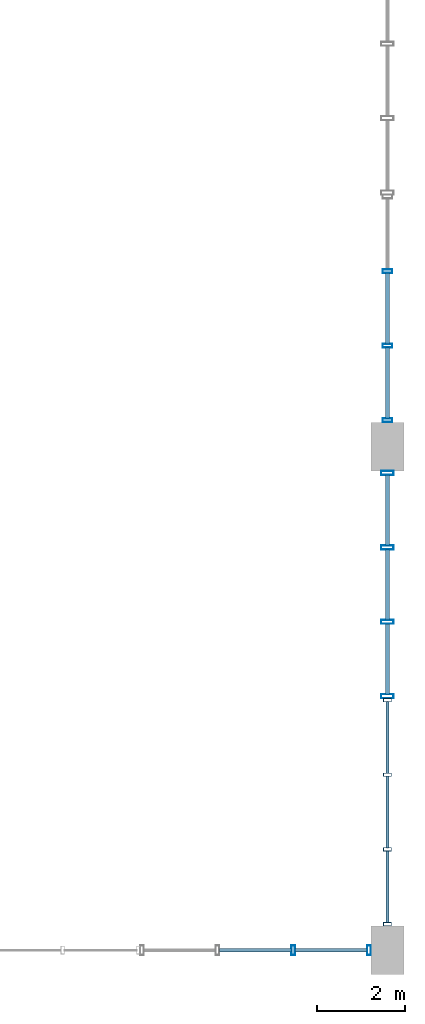
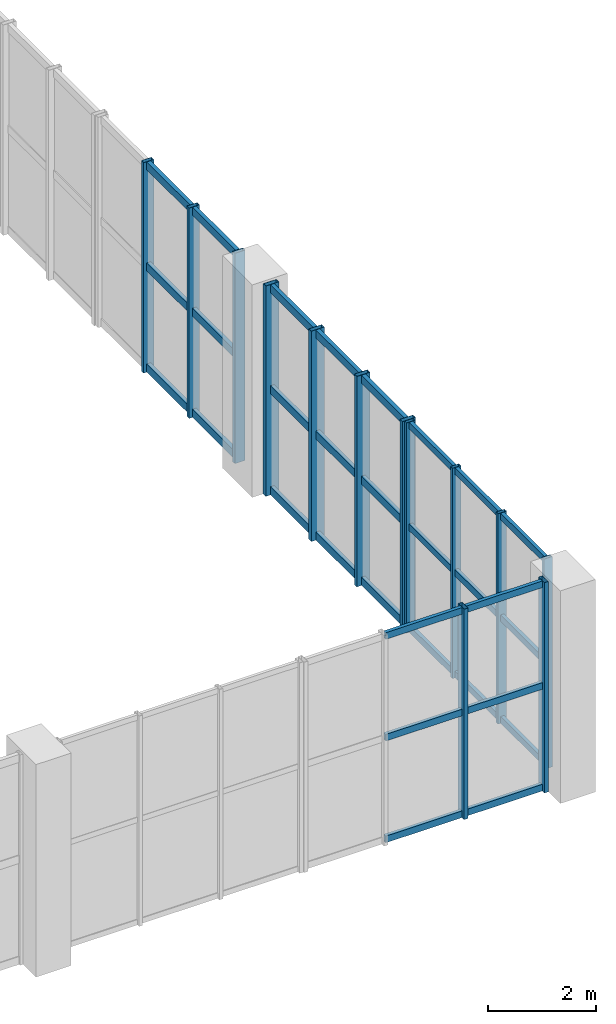
# One storey, part 53 of 106: 43 members, 4 elements without a shape of their own.
"""IFC4 building model written with IfcOpenShell, lengths in metres."""

import ifcopenshell
import ifcopenshell.guid

model = None  # the IFC model being written
_history = None  # IfcOwnerHistory: only IFC2X3 demands one
_inside = {}  # id of a spatial element -> (the spatial element, [elements in it])
_under = {}  # id of a project, library or spatial element -> (it, [spatial elements below it])
_declared = {}  # id of a project -> (the project, [libraries it declares])
_typed = {}  # id of a type object -> (the type object, [elements of that type])
_made_of = {}  # id of a material, layer set ... -> (it, [elements and type objects made of it])


def new_model(schema):
    """Start an empty IFC model of exactly this schema.

    Asked for "IFC4X3", IfcOpenShell would pick the latest addendum, in which some entities
    have other attributes; the version numbers below select the first issue.
    IFC2X3 requires an IfcOwnerHistory on every rooted entity: one is made here for all.
    """
    global model, _history
    if schema == "IFC4X3":
        model = ifcopenshell.file(schema_version=(4, 3, 0, 0))
    else:
        model = ifcopenshell.file(schema=schema)
    _inside.clear()
    _under.clear()
    _declared.clear()
    _typed.clear()
    _made_of.clear()
    _history = None
    if model.schema == "IFC2X3":
        org = make("IfcOrganization", Name="unknown")
        user = make(
            "IfcPersonAndOrganization",
            ThePerson=make("IfcPerson", FamilyName="unknown"),
            TheOrganization=org,
        )
        app = make(
            "IfcApplication",
            ApplicationDeveloper=org,
            Version="unknown",
            ApplicationFullName="unknown",
            ApplicationIdentifier="unknown",
        )
        _history = make(
            "IfcOwnerHistory",
            OwningUser=user,
            OwningApplication=app,
            ChangeAction="ADDED",
            CreationDate=0,
        )
    return model


def make(cls, **values):
    """One entity of the class cls with the attributes given. An attribute that is None is left unset."""
    return model.create_entity(
        cls, **{name: value for name, value in values.items() if value is not None}
    )


def rooted(cls, **values):
    """An entity with a GlobalId (a new one), such as an element, a storey or a relation."""
    return make(cls, GlobalId=ifcopenshell.guid.new(), OwnerHistory=_history, **values)


def si_unit(unit_type, name, prefix=None):
    """IfcSIUnit, for example si_unit("LENGTHUNIT", "METRE", prefix="MILLI")."""
    return make("IfcSIUnit", UnitType=unit_type, Prefix=prefix, Name=name)


def assignment(units):
    """IfcUnitAssignment: the units of a project."""
    return None if units is None else make("IfcUnitAssignment", Units=units)


def point(xyz):
    """IfcCartesianPoint."""
    return None if xyz is None else make("IfcCartesianPoint", Coordinates=xyz)


def direction(xyz):
    """IfcDirection."""
    return None if xyz is None else make("IfcDirection", DirectionRatios=xyz)


def frame(location, z_axis=None, x_axis=None):
    """IfcAxis2Placement3D, a coordinate frame: its origin and axes. An axis left out is left unset."""
    return make(
        "IfcAxis2Placement3D",
        Location=point(location),
        Axis=direction(z_axis),
        RefDirection=direction(x_axis),
    )


def frame_2d(location, x_axis=None):
    """IfcAxis2Placement2D, a coordinate frame in the plane: its origin and x axis."""
    return make(
        "IfcAxis2Placement2D", Location=point(location), RefDirection=direction(x_axis)
    )


def origin():
    """The frame at (0, 0, 0) with its axes left unset."""
    return frame((0.0, 0.0, 0.0))


def origin_2d():
    """The frame at (0, 0) in the plane with its x axis left unset."""
    return frame_2d((0.0, 0.0))


def place(relative_to, where):
    """IfcLocalPlacement: puts the frame where relative to a parent placement (None: the world)."""
    return make(
        "IfcLocalPlacement", PlacementRelTo=relative_to, RelativePlacement=where
    )


def context(
    kind, dimensions, precision=None, world=None, true_north=None, identifier=None
):
    """IfcGeometricRepresentationContext, for example the 3D "Model" context."""
    return make(
        "IfcGeometricRepresentationContext",
        ContextIdentifier=identifier,
        ContextType=kind,
        CoordinateSpaceDimension=dimensions,
        Precision=precision,
        WorldCoordinateSystem=world,
        TrueNorth=true_north,
    )


def subcontext(parent, identifier, kind, view, scale=None):
    """IfcGeometricRepresentationSubContext, for example "Body" below "Model"."""
    return make(
        "IfcGeometricRepresentationSubContext",
        ContextIdentifier=identifier,
        ContextType=kind,
        ParentContext=parent,
        TargetScale=scale,
        TargetView=view,
    )


def project(units=None, contexts=None):
    """IfcProject with its units and contexts."""
    return rooted(
        "IfcProject",
        Name="project",
        RepresentationContexts=contexts,
        UnitsInContext=assignment(units),
    )


def spatial(cls, under=None, at=None, **own):
    """A site, building, storey or space (cls), placed at a placement, below another one or the project."""
    s = rooted(cls, ObjectPlacement=at, **own)
    if under is not None:
        _under.setdefault(under.id(), (under, []))[1].append(s)
    return s


def profile(cls, at=None, kind="AREA", **sizes):
    """A parametric profile (cls). Its sizes go by their IFC names, for example OverallWidth=200.0."""
    return make(cls, ProfileType=kind, Position=at, **sizes)


def hollow_rectangle(**sizes):
    """IfcRectangleHollowProfileDef."""
    return profile("IfcRectangleHollowProfileDef", **sizes)


def extrude(swept, where, along, depth):
    """IfcExtrudedAreaSolid: the profile swept, set in the frame where, extruded along a direction by depth."""
    return make(
        "IfcExtrudedAreaSolid",
        SweptArea=swept,
        Position=where,
        ExtrudedDirection=direction(along),
        Depth=depth,
    )


def shape(context_of_items, identifier, shape_type, items):
    """IfcShapeRepresentation: the items that make up one representation, for example the "Body"."""
    return make(
        "IfcShapeRepresentation",
        ContextOfItems=context_of_items,
        RepresentationIdentifier=identifier,
        RepresentationType=shape_type,
        Items=items,
    )


def material(Name=None, Category=None):
    """IfcMaterial."""
    return make("IfcMaterial", Name=Name, Category=Category)


def layer(
    of_material, thickness, ventilated=None, Name=None, Category=None, Priority=None
):
    """IfcMaterialLayer: one layer of a wall or slab, of a material (None: an air gap)."""
    return make(
        "IfcMaterialLayer",
        Material=of_material,
        LayerThickness=thickness,
        IsVentilated=ventilated,
        Name=Name,
        Category=Category,
        Priority=Priority,
    )


def layer_set(layers, Name=None):
    """IfcMaterialLayerSet."""
    return make("IfcMaterialLayerSet", MaterialLayers=layers, LayerSetName=Name)


def material_profile(
    of_material, cross_section, Name=None, Category=None, Priority=None
):
    """IfcMaterialProfile: a cross section and its material."""
    return make(
        "IfcMaterialProfile",
        Name=Name,
        Material=of_material,
        Profile=cross_section,
        Priority=Priority,
        Category=Category,
    )


def profile_set(profiles, Name=None, composite=None):
    """IfcMaterialProfileSet."""
    return make(
        "IfcMaterialProfileSet",
        Name=Name,
        MaterialProfiles=profiles,
        CompositeProfile=composite,
    )


def made_of(thing, what):
    """Note that an element or type object is made of a material, layer set ...; save() writes the relation."""
    if what is not None:
        _made_of.setdefault(what.id(), (what, []))[1].append(thing)
    return thing


def type_object(cls, material=None, **own):
    """A type object (cls), such as IfcWallType, which elements share."""
    return made_of(rooted(cls, **own), material)


def element(
    cls,
    number,
    at=None,
    inside=None,
    cuts=None,
    type_object=None,
    material=None,
    context=None,
    identifier="Body",
    shape_type=None,
    held_by="IfcProductDefinitionShape",
    body=None,
    shapes=None,
    **own,
):
    """One element of the class cls, such as IfcWall. Its Tag is "e" and its number.

    at: its placement. inside: the storey or other place that contains it. cuts: it is an
    opening in that element (IfcRelVoidsElement). A single representation is given by context,
    identifier, shape_type and body (its items); several are given by shapes. held_by: the class
    of the entity that holds the representations. save() writes the other relations.
    """
    e = rooted(cls, Tag="e%d" % number, ObjectPlacement=at, **own)
    if body is not None:
        shapes = [shape(context, identifier, shape_type, body)]
    if shapes is not None:
        e.Representation = make(held_by, Representations=shapes)
    if inside is not None:
        _inside.setdefault(inside.id(), (inside, []))[1].append(e)
    if cuts is not None:
        rooted(
            "IfcRelVoidsElement", RelatingBuildingElement=cuts, RelatedOpeningElement=e
        )
    if type_object is not None:
        _typed.setdefault(type_object.id(), (type_object, []))[1].append(e)
    return made_of(e, material)


def aggregate(whole, parts):
    """IfcRelAggregates: a whole, such as a stair, and the parts it consists of."""
    return rooted("IfcRelAggregates", RelatingObject=whole, RelatedObjects=parts)


def save(model, path):
    """Write the relations noted so far, then the file.

    IfcRelAggregates (storeys below a building ...), IfcRelContainedInSpatialStructure (elements
    in a storey), IfcRelDefinesByType, IfcRelAssociatesMaterial and IfcRelDeclares: one each for
    every whole, place, type object, material and project.
    """
    for whole, parts in _under.values():
        aggregate(whole, parts)
    for where, things in _inside.values():
        rooted(
            "IfcRelContainedInSpatialStructure",
            RelatedElements=things,
            RelatingStructure=where,
        )
    for kind, things in _typed.values():
        rooted("IfcRelDefinesByType", RelatedObjects=things, RelatingType=kind)
    for what, things in _made_of.values():
        rooted("IfcRelAssociatesMaterial", RelatedObjects=things, RelatingMaterial=what)
    for by, libraries in _declared.values():
        rooted("IfcRelDeclares", RelatingContext=by, RelatedDefinitions=libraries)
    model.write(path)


model = new_model("IFC4")

# Units and contexts
model_context = context("Model", 3, precision=1e-05, world=origin(), true_north=direction((0.0, 1.0)))
body_context = subcontext(model_context, "Body", "Model", "MODEL_VIEW")
ifc_project = project(units=[si_unit("LENGTHUNIT", "METRE"), si_unit("AREAUNIT", "SQUARE_METRE"), si_unit("VOLUMEUNIT", "CUBIC_METRE"), si_unit("PLANEANGLEUNIT", "RADIAN"), si_unit("MASSUNIT", "GRAM", prefix="KILO"), si_unit("POWERUNIT", "WATT"), si_unit("THERMODYNAMICTEMPERATUREUNIT", "KELVIN")], contexts=[model_context])

# Site, building, storey
site_placement = place(None, origin())
site = spatial("IfcSite", under=ifc_project, at=site_placement, CompositionType="ELEMENT")
building_placement = place(site_placement, origin())
building = spatial("IfcBuilding", under=site, at=building_placement, Name="Kelmbourne Parkland Aquatics Centre", CompositionType="ELEMENT")
storey_placement = place(building_placement, frame((0.0, 0.0, 5.39990234375)))
storey = spatial("IfcBuildingStorey", under=building, at=storey_placement, Name="L01", CompositionType="ELEMENT", Elevation=5.39990234375)

# Curtain wall, members
ifc_material = material(Name="Thermally broken anodised aluminium framing", Category="aluminium")
ifc_layer_1 = layer(ifc_material, 0.179931640625)
ifc_layer_set_1 = layer_set([ifc_layer_1], Name="Thermally broken anodised aluminium framing")
curtain_wall_type_1 = type_object("IfcCurtainWallType", Name="CW-01", PredefinedType="NOTDEFINED", material=ifc_layer_set_1)
curtain_wall_1_placement = place(storey_placement, origin())
curtain_wall_1 = element("IfcCurtainWall", 1, at=curtain_wall_1_placement, inside=storey, type_object=curtain_wall_type_1, Name="Wave-hall clerestory curtain wall CW-L01-001", PredefinedType="NOTDEFINED")
ifc_material_profile_1 = material_profile(ifc_material, hollow_rectangle(XDim=0.074951171875, YDim=0.179931640625, WallThickness=0.00439453125, at=origin_2d()), Name="CW-M 75x180")
ifc_profile_set_1 = profile_set([ifc_material_profile_1], Name="Thermally broken anodised aluminium framing")
member_type_1 = type_object("IfcMemberType", Name="MB-MUL-2", PredefinedType="MULLION", material=ifc_profile_set_1)
member_1_placement = place(storey_placement, frame((175.199951171875, 1.389404296875, 0.0), z_axis=(0.0, 0.0, 1.0), x_axis=(0.0, 1.0, 0.0)))
member_1 = element("IfcMember", 2, at=member_1_placement, type_object=member_type_1, Name="CW-L01-001 mullion 0", PredefinedType="MULLION", context=body_context, shape_type="SweptSolid", body=[
    extrude(hollow_rectangle(XDim=0.074951171875, YDim=0.179931640625, WallThickness=0.00439453125, at=origin_2d()), origin(), (0.0, 0.0, 1.0), 4.75),
])
member_2_placement = place(storey_placement, frame((175.199951171875, 3.08056640625, 0.0), z_axis=(0.0, 0.0, 1.0), x_axis=(0.0, 1.0, 0.0)))
member_2 = element("IfcMember", 3, at=member_2_placement, type_object=member_type_1, Name="CW-L01-001 mullion 1", PredefinedType="MULLION", context=body_context, shape_type="SweptSolid", body=[
    extrude(hollow_rectangle(XDim=0.074951171875, YDim=0.179931640625, WallThickness=0.00439453125, at=origin_2d()), origin(), (0.0, 0.0, 1.0), 4.75),
])
member_3_placement = place(storey_placement, frame((175.199951171875, 4.771484375, 0.0), z_axis=(0.0, 0.0, 1.0), x_axis=(0.0, 1.0, 0.0)))
member_3 = element("IfcMember", 4, at=member_3_placement, type_object=member_type_1, Name="CW-L01-001 mullion 2", PredefinedType="MULLION", context=body_context, shape_type="SweptSolid", body=[
    extrude(hollow_rectangle(XDim=0.074951171875, YDim=0.179931640625, WallThickness=0.00439453125, at=origin_2d()), origin(), (0.0, 0.0, 1.0), 4.75),
])
member_4_placement = place(storey_placement, frame((175.199951171875, 6.46240234375, 0.0), z_axis=(0.0, 0.0, 1.0), x_axis=(0.0, 1.0, 0.0)))
member_4 = element("IfcMember", 5, at=member_4_placement, type_object=member_type_1, Name="CW-L01-001 mullion 3", PredefinedType="MULLION", context=body_context, shape_type="SweptSolid", body=[
    extrude(hollow_rectangle(XDim=0.074951171875, YDim=0.179931640625, WallThickness=0.00439453125, at=origin_2d()), origin(), (0.0, 0.0, 1.0), 4.75),
])

ifc_layer_2 = layer(ifc_material, 0.179931640625)
ifc_layer_set_2 = layer_set([ifc_layer_2], Name="Thermally broken anodised aluminium framing")
curtain_wall_type_2 = type_object("IfcCurtainWallType", Name="CW-17", PredefinedType="NOTDEFINED", material=ifc_layer_set_2)
curtain_wall_2_placement = place(storey_placement, origin())
curtain_wall_2 = element("IfcCurtainWall", 6, at=curtain_wall_2_placement, inside=storey, type_object=curtain_wall_type_2, Name="Wave-hall clerestory curtain wall CW-L01-017", PredefinedType="NOTDEFINED")
ifc_material_profile_2 = material_profile(ifc_material, hollow_rectangle(XDim=0.0849609375, YDim=0.219970703125, WallThickness=0.0048828125, at=origin_2d()), Name="CW-M 85x220")
ifc_profile_set_2 = profile_set([ifc_material_profile_2], Name="Thermally broken anodised aluminium framing")
member_type_2 = type_object("IfcMemberType", Name="MB-MUL-3", PredefinedType="MULLION", material=ifc_profile_set_2)
member_5_placement = place(storey_placement, frame((175.199951171875, 12.79443359375, 0.0), z_axis=(0.0, 0.0, 1.0), x_axis=(0.0, 1.0, 0.0)))
member_5 = element("IfcMember", 7, at=member_5_placement, type_object=member_type_2, Name="CW-L01-017 mullion 0", PredefinedType="MULLION", context=body_context, shape_type="SweptSolid", body=[
    extrude(hollow_rectangle(XDim=0.0849609375, YDim=0.219970703125, WallThickness=0.0048828125, at=origin_2d()), origin(), (0.0, 0.0, 1.0), 4.75),
])
member_6_placement = place(storey_placement, frame((175.199951171875, 14.482177734375, 0.0), z_axis=(0.0, 0.0, 1.0), x_axis=(0.0, 1.0, 0.0)))
member_6 = element("IfcMember", 8, at=member_6_placement, type_object=member_type_2, Name="CW-L01-017 mullion 1", PredefinedType="MULLION", context=body_context, shape_type="SweptSolid", body=[
    extrude(hollow_rectangle(XDim=0.0849609375, YDim=0.219970703125, WallThickness=0.0048828125, at=origin_2d()), origin(), (0.0, 0.0, 1.0), 4.75),
])
member_7_placement = place(storey_placement, frame((175.199951171875, 16.169921875, 0.0), z_axis=(0.0, 0.0, 1.0), x_axis=(0.0, 1.0, 0.0)))
member_7 = element("IfcMember", 9, at=member_7_placement, type_object=member_type_2, Name="CW-L01-017 mullion 2", PredefinedType="MULLION", context=body_context, shape_type="SweptSolid", body=[
    extrude(hollow_rectangle(XDim=0.0849609375, YDim=0.219970703125, WallThickness=0.0048828125, at=origin_2d()), origin(), (0.0, 0.0, 1.0), 4.75),
])

ifc_layer_3 = layer(ifc_material, 0.179931640625)
ifc_layer_set_3 = layer_set([ifc_layer_3], Name="Thermally broken anodised aluminium framing")
curtain_wall_type_3 = type_object("IfcCurtainWallType", Name="CW-16", PredefinedType="NOTDEFINED", material=ifc_layer_set_3)
curtain_wall_3_placement = place(storey_placement, origin())
curtain_wall_3 = element("IfcCurtainWall", 10, at=curtain_wall_3_placement, inside=storey, type_object=curtain_wall_type_3, Name="Wave-hall clerestory curtain wall CW-L01-112", PredefinedType="NOTDEFINED")
member_8_placement = place(storey_placement, frame((173.06787109375, 0.800048828125, 0.0), z_axis=(0.0, 0.0, 1.0), x_axis=(1.0, 0.0, 0.0)))
member_8 = element("IfcMember", 11, at=member_8_placement, type_object=member_type_2, Name="CW-L01-112 mullion 2", PredefinedType="MULLION", context=body_context, shape_type="SweptSolid", body=[
    extrude(hollow_rectangle(XDim=0.0849609375, YDim=0.219970703125, WallThickness=0.0048828125, at=origin_2d()), origin(), (0.0, 0.0, 1.0), 4.75),
])
member_9_placement = place(storey_placement, frame((174.780517578125, 0.800048828125, 0.0), z_axis=(0.0, 0.0, 1.0), x_axis=(1.0, 0.0, 0.0)))
member_9 = element("IfcMember", 12, at=member_9_placement, type_object=member_type_2, Name="CW-L01-112 mullion 3", PredefinedType="MULLION", context=body_context, shape_type="SweptSolid", body=[
    extrude(hollow_rectangle(XDim=0.0849609375, YDim=0.219970703125, WallThickness=0.0048828125, at=origin_2d()), origin(), (0.0, 0.0, 1.0), 4.75),
])

ifc_layer_4 = layer(ifc_material, 0.179931640625)
ifc_layer_set_4 = layer_set([ifc_layer_4], Name="Thermally broken anodised aluminium framing")
curtain_wall_type_4 = type_object("IfcCurtainWallType", Name="CW-08", PredefinedType="NOTDEFINED", material=ifc_layer_set_4)
curtain_wall_4_placement = place(storey_placement, origin())
curtain_wall_4 = element("IfcCurtainWall", 13, at=curtain_wall_4_placement, inside=storey, type_object=curtain_wall_type_4, Name="Wave-hall clerestory curtain wall CW-L01-008", PredefinedType="NOTDEFINED")
ifc_material_profile_3 = material_profile(ifc_material, hollow_rectangle(XDim=0.094970703125, YDim=0.280029296875, WallThickness=0.005615234375, at=origin_2d()), Name="CW-M 95x280")
ifc_profile_set_3 = profile_set([ifc_material_profile_3], Name="Thermally broken anodised aluminium framing")
member_type_3 = type_object("IfcMemberType", Name="MB-MUL-4", PredefinedType="MULLION", material=ifc_profile_set_3)
member_10_placement = place(storey_placement, frame((175.199951171875, 6.547607421875, 0.0), z_axis=(0.0, 0.0, 1.0), x_axis=(0.0, 1.0, 0.0)))
member_10 = element("IfcMember", 14, at=member_10_placement, type_object=member_type_3, Name="CW-L01-008 mullion 0", PredefinedType="MULLION", context=body_context, shape_type="SweptSolid", body=[
    extrude(hollow_rectangle(XDim=0.094970703125, YDim=0.280029296875, WallThickness=0.005615234375, at=origin_2d()), origin(), (0.0, 0.0, 1.0), 4.75),
])
member_11_placement = place(storey_placement, frame((175.199951171875, 8.231689453125, 0.0), z_axis=(0.0, 0.0, 1.0), x_axis=(0.0, 1.0, 0.0)))
member_11 = element("IfcMember", 15, at=member_11_placement, type_object=member_type_3, Name="CW-L01-008 mullion 1", PredefinedType="MULLION", context=body_context, shape_type="SweptSolid", body=[
    extrude(hollow_rectangle(XDim=0.094970703125, YDim=0.280029296875, WallThickness=0.005615234375, at=origin_2d()), origin(), (0.0, 0.0, 1.0), 4.75),
])
member_12_placement = place(storey_placement, frame((175.199951171875, 9.916259765625, 0.0), z_axis=(0.0, 0.0, 1.0), x_axis=(0.0, 1.0, 0.0)))
member_12 = element("IfcMember", 16, at=member_12_placement, type_object=member_type_3, Name="CW-L01-008 mullion 2", PredefinedType="MULLION", context=body_context, shape_type="SweptSolid", body=[
    extrude(hollow_rectangle(XDim=0.094970703125, YDim=0.280029296875, WallThickness=0.005615234375, at=origin_2d()), origin(), (0.0, 0.0, 1.0), 4.75),
])
member_13_placement = place(storey_placement, frame((175.199951171875, 11.6005859375, 0.0), z_axis=(0.0, 0.0, 1.0), x_axis=(0.0, 1.0, 0.0)))
member_13 = element("IfcMember", 17, at=member_13_placement, type_object=member_type_3, Name="CW-L01-008 mullion 3", PredefinedType="MULLION", context=body_context, shape_type="SweptSolid", body=[
    extrude(hollow_rectangle(XDim=0.094970703125, YDim=0.280029296875, WallThickness=0.005615234375, at=origin_2d()), origin(), (0.0, 0.0, 1.0), 4.75),
])

# Member
ifc_material_profile_4 = material_profile(ifc_material, hollow_rectangle(XDim=0.074951171875, YDim=0.14990234375, WallThickness=0.00390625, at=origin_2d()), Name="CW-T 75x150")
ifc_profile_set_4 = profile_set([ifc_material_profile_4], Name="Thermally broken anodised aluminium framing")
member_type_4 = type_object("IfcMemberType", Name="MB-TRN-2", PredefinedType="USERDEFINED", material=ifc_profile_set_4)
member_14_placement = place(storey_placement, frame((175.199951171875, 1.423095703125, 0.078125), z_axis=(0.0, 1.0, 0.0), x_axis=(-1.0, 0.0, 0.0)))
member_14 = element("IfcMember", 18, at=member_14_placement, type_object=member_type_4, Name="CW-L01-001 transom 0-0", ObjectType="TRANSOM", PredefinedType="USERDEFINED", context=body_context, shape_type="SweptSolid", body=[
    extrude(hollow_rectangle(XDim=0.074951171875, YDim=0.14990234375, WallThickness=0.00390625, at=origin_2d()), origin(), (0.0, 0.0, 1.0), 1.6240234375),
])

member_15_placement = place(storey_placement, frame((175.199951171875, 3.114013671875, 0.078125), z_axis=(0.0, 1.0, 0.0), x_axis=(-1.0, 0.0, 0.0)))
member_15 = element("IfcMember", 19, at=member_15_placement, type_object=member_type_4, Name="CW-L01-001 transom 0-1", ObjectType="TRANSOM", PredefinedType="USERDEFINED", context=body_context, shape_type="SweptSolid", body=[
    extrude(hollow_rectangle(XDim=0.074951171875, YDim=0.14990234375, WallThickness=0.00390625, at=origin_2d()), origin(), (0.0, 0.0, 1.0), 1.6240234375),
])

member_16_placement = place(storey_placement, frame((175.199951171875, 4.804931640625, 0.078125), z_axis=(0.0, 1.0, 0.0), x_axis=(-1.0, 0.0, 0.0)))
member_16 = element("IfcMember", 20, at=member_16_placement, type_object=member_type_4, Name="CW-L01-001 transom 0-2", ObjectType="TRANSOM", PredefinedType="USERDEFINED", context=body_context, shape_type="SweptSolid", body=[
    extrude(hollow_rectangle(XDim=0.074951171875, YDim=0.14990234375, WallThickness=0.00390625, at=origin_2d()), origin(), (0.0, 0.0, 1.0), 1.6240234375),
])

member_17_placement = place(storey_placement, frame((175.199951171875, 1.423095703125, 2.375), z_axis=(0.0, 1.0, 0.0), x_axis=(-1.0, 0.0, 0.0)))
member_17 = element("IfcMember", 21, at=member_17_placement, type_object=member_type_4, Name="CW-L01-001 transom 1-0", ObjectType="TRANSOM", PredefinedType="USERDEFINED", context=body_context, shape_type="SweptSolid", body=[
    extrude(hollow_rectangle(XDim=0.074951171875, YDim=0.14990234375, WallThickness=0.00390625, at=origin_2d()), origin(), (0.0, 0.0, 1.0), 1.6240234375),
])

member_18_placement = place(storey_placement, frame((175.199951171875, 3.114013671875, 2.375), z_axis=(0.0, 1.0, 0.0), x_axis=(-1.0, 0.0, 0.0)))
member_18 = element("IfcMember", 22, at=member_18_placement, type_object=member_type_4, Name="CW-L01-001 transom 1-1", ObjectType="TRANSOM", PredefinedType="USERDEFINED", context=body_context, shape_type="SweptSolid", body=[
    extrude(hollow_rectangle(XDim=0.074951171875, YDim=0.14990234375, WallThickness=0.00390625, at=origin_2d()), origin(), (0.0, 0.0, 1.0), 1.6240234375),
])

member_19_placement = place(storey_placement, frame((175.199951171875, 4.804931640625, 2.375), z_axis=(0.0, 1.0, 0.0), x_axis=(-1.0, 0.0, 0.0)))
member_19 = element("IfcMember", 23, at=member_19_placement, type_object=member_type_4, Name="CW-L01-001 transom 1-2", ObjectType="TRANSOM", PredefinedType="USERDEFINED", context=body_context, shape_type="SweptSolid", body=[
    extrude(hollow_rectangle(XDim=0.074951171875, YDim=0.14990234375, WallThickness=0.00390625, at=origin_2d()), origin(), (0.0, 0.0, 1.0), 1.6240234375),
])

member_20_placement = place(storey_placement, frame((175.199951171875, 1.423095703125, 4.672119140625), z_axis=(0.0, 1.0, 0.0), x_axis=(-1.0, 0.0, 0.0)))
member_20 = element("IfcMember", 24, at=member_20_placement, type_object=member_type_4, Name="CW-L01-001 transom 2-0", ObjectType="TRANSOM", PredefinedType="USERDEFINED", context=body_context, shape_type="SweptSolid", body=[
    extrude(hollow_rectangle(XDim=0.074951171875, YDim=0.14990234375, WallThickness=0.00390625, at=origin_2d()), origin(), (0.0, 0.0, 1.0), 1.6240234375),
])

member_21_placement = place(storey_placement, frame((175.199951171875, 3.114013671875, 4.672119140625), z_axis=(0.0, 1.0, 0.0), x_axis=(-1.0, 0.0, 0.0)))
member_21 = element("IfcMember", 25, at=member_21_placement, type_object=member_type_4, Name="CW-L01-001 transom 2-1", ObjectType="TRANSOM", PredefinedType="USERDEFINED", context=body_context, shape_type="SweptSolid", body=[
    extrude(hollow_rectangle(XDim=0.074951171875, YDim=0.14990234375, WallThickness=0.00390625, at=origin_2d()), origin(), (0.0, 0.0, 1.0), 1.6240234375),
])

member_22_placement = place(storey_placement, frame((175.199951171875, 4.804931640625, 4.672119140625), z_axis=(0.0, 1.0, 0.0), x_axis=(-1.0, 0.0, 0.0)))
member_22 = element("IfcMember", 26, at=member_22_placement, type_object=member_type_4, Name="CW-L01-001 transom 2-2", ObjectType="TRANSOM", PredefinedType="USERDEFINED", context=body_context, shape_type="SweptSolid", body=[
    extrude(hollow_rectangle(XDim=0.074951171875, YDim=0.14990234375, WallThickness=0.00390625, at=origin_2d()), origin(), (0.0, 0.0, 1.0), 1.6240234375),
])

aggregate(curtain_wall_1, [member_1, member_2, member_3, member_4, member_14, member_15, member_16, member_17, member_18, member_19, member_20, member_21, member_22])

member_23_placement = place(storey_placement, frame((171.393798828125, 0.800048828125, 0.078125), z_axis=(1.0, 0.0, 0.0), x_axis=(0.0, 1.0, 0.0)))
member_23 = element("IfcMember", 27, at=member_23_placement, type_object=member_type_4, Name="CW-L01-112 transom 0-1", ObjectType="TRANSOM", PredefinedType="USERDEFINED", context=body_context, shape_type="SweptSolid", body=[
    extrude(hollow_rectangle(XDim=0.074951171875, YDim=0.14990234375, WallThickness=0.00390625, at=origin_2d()), origin(), (0.0, 0.0, 1.0), 1.635498046875),
])

member_24_placement = place(storey_placement, frame((173.106201171875, 0.800048828125, 0.078125), z_axis=(1.0, 0.0, 0.0), x_axis=(0.0, 1.0, 0.0)))
member_24 = element("IfcMember", 28, at=member_24_placement, type_object=member_type_4, Name="CW-L01-112 transom 0-2", ObjectType="TRANSOM", PredefinedType="USERDEFINED", context=body_context, shape_type="SweptSolid", body=[
    extrude(hollow_rectangle(XDim=0.074951171875, YDim=0.14990234375, WallThickness=0.00390625, at=origin_2d()), origin(), (0.0, 0.0, 1.0), 1.6357421875),
])

member_25_placement = place(storey_placement, frame((171.393798828125, 0.800048828125, 2.375), z_axis=(1.0, 0.0, 0.0), x_axis=(0.0, 1.0, 0.0)))
member_25 = element("IfcMember", 29, at=member_25_placement, type_object=member_type_4, Name="CW-L01-112 transom 1-1", ObjectType="TRANSOM", PredefinedType="USERDEFINED", context=body_context, shape_type="SweptSolid", body=[
    extrude(hollow_rectangle(XDim=0.074951171875, YDim=0.14990234375, WallThickness=0.00390625, at=origin_2d()), origin(), (0.0, 0.0, 1.0), 1.635498046875),
])

member_26_placement = place(storey_placement, frame((173.106201171875, 0.800048828125, 2.375), z_axis=(1.0, 0.0, 0.0), x_axis=(0.0, 1.0, 0.0)))
member_26 = element("IfcMember", 30, at=member_26_placement, type_object=member_type_4, Name="CW-L01-112 transom 1-2", ObjectType="TRANSOM", PredefinedType="USERDEFINED", context=body_context, shape_type="SweptSolid", body=[
    extrude(hollow_rectangle(XDim=0.074951171875, YDim=0.14990234375, WallThickness=0.00390625, at=origin_2d()), origin(), (0.0, 0.0, 1.0), 1.6357421875),
])

member_27_placement = place(storey_placement, frame((171.393798828125, 0.800048828125, 4.672119140625), z_axis=(1.0, 0.0, 0.0), x_axis=(0.0, 1.0, 0.0)))
member_27 = element("IfcMember", 31, at=member_27_placement, type_object=member_type_4, Name="CW-L01-112 transom 2-1", ObjectType="TRANSOM", PredefinedType="USERDEFINED", context=body_context, shape_type="SweptSolid", body=[
    extrude(hollow_rectangle(XDim=0.074951171875, YDim=0.14990234375, WallThickness=0.00390625, at=origin_2d()), origin(), (0.0, 0.0, 1.0), 1.635498046875),
])

member_28_placement = place(storey_placement, frame((173.106201171875, 0.800048828125, 4.672119140625), z_axis=(1.0, 0.0, 0.0), x_axis=(0.0, 1.0, 0.0)))
member_28 = element("IfcMember", 32, at=member_28_placement, type_object=member_type_4, Name="CW-L01-112 transom 2-2", ObjectType="TRANSOM", PredefinedType="USERDEFINED", context=body_context, shape_type="SweptSolid", body=[
    extrude(hollow_rectangle(XDim=0.074951171875, YDim=0.14990234375, WallThickness=0.00390625, at=origin_2d()), origin(), (0.0, 0.0, 1.0), 1.6357421875),
])

aggregate(curtain_wall_3, [member_8, member_9, member_23, member_24, member_25, member_26, member_27, member_28])

ifc_material_profile_5 = material_profile(ifc_material, hollow_rectangle(XDim=0.0849609375, YDim=0.179931640625, WallThickness=0.00439453125, at=origin_2d()), Name="CW-T 85x180")
ifc_profile_set_5 = profile_set([ifc_material_profile_5], Name="Thermally broken anodised aluminium framing")
member_type_5 = type_object("IfcMemberType", Name="MB-TRN-3", PredefinedType="USERDEFINED", material=ifc_profile_set_5)
member_29_placement = place(storey_placement, frame((175.199951171875, 6.591064453125, 0.093017578125), z_axis=(0.0, 1.0, 0.0), x_axis=(-1.0, 0.0, 0.0)))
member_29 = element("IfcMember", 33, at=member_29_placement, type_object=member_type_5, Name="CW-L01-008 transom 0-0", ObjectType="TRANSOM", PredefinedType="USERDEFINED", context=body_context, shape_type="SweptSolid", body=[
    extrude(hollow_rectangle(XDim=0.0849609375, YDim=0.179931640625, WallThickness=0.00439453125, at=origin_2d()), origin(), (0.0, 0.0, 1.0), 1.59716796875),
])

member_30_placement = place(storey_placement, frame((175.199951171875, 8.275390625, 0.093017578125), z_axis=(0.0, 1.0, 0.0), x_axis=(-1.0, 0.0, 0.0)))
member_30 = element("IfcMember", 34, at=member_30_placement, type_object=member_type_5, Name="CW-L01-008 transom 0-1", ObjectType="TRANSOM", PredefinedType="USERDEFINED", context=body_context, shape_type="SweptSolid", body=[
    extrude(hollow_rectangle(XDim=0.0849609375, YDim=0.179931640625, WallThickness=0.00439453125, at=origin_2d()), origin(), (0.0, 0.0, 1.0), 1.597412109375),
])

member_31_placement = place(storey_placement, frame((175.199951171875, 9.959716796875, 0.093017578125), z_axis=(0.0, 1.0, 0.0), x_axis=(-1.0, 0.0, 0.0)))
member_31 = element("IfcMember", 35, at=member_31_placement, type_object=member_type_5, Name="CW-L01-008 transom 0-2", ObjectType="TRANSOM", PredefinedType="USERDEFINED", context=body_context, shape_type="SweptSolid", body=[
    extrude(hollow_rectangle(XDim=0.0849609375, YDim=0.179931640625, WallThickness=0.00439453125, at=origin_2d()), origin(), (0.0, 0.0, 1.0), 1.59716796875),
])

member_32_placement = place(storey_placement, frame((175.199951171875, 6.591064453125, 2.375), z_axis=(0.0, 1.0, 0.0), x_axis=(-1.0, 0.0, 0.0)))
member_32 = element("IfcMember", 36, at=member_32_placement, type_object=member_type_5, Name="CW-L01-008 transom 1-0", ObjectType="TRANSOM", PredefinedType="USERDEFINED", context=body_context, shape_type="SweptSolid", body=[
    extrude(hollow_rectangle(XDim=0.0849609375, YDim=0.179931640625, WallThickness=0.00439453125, at=origin_2d()), origin(), (0.0, 0.0, 1.0), 1.59716796875),
])

member_33_placement = place(storey_placement, frame((175.199951171875, 8.275390625, 2.375), z_axis=(0.0, 1.0, 0.0), x_axis=(-1.0, 0.0, 0.0)))
member_33 = element("IfcMember", 37, at=member_33_placement, type_object=member_type_5, Name="CW-L01-008 transom 1-1", ObjectType="TRANSOM", PredefinedType="USERDEFINED", context=body_context, shape_type="SweptSolid", body=[
    extrude(hollow_rectangle(XDim=0.0849609375, YDim=0.179931640625, WallThickness=0.00439453125, at=origin_2d()), origin(), (0.0, 0.0, 1.0), 1.597412109375),
])

member_34_placement = place(storey_placement, frame((175.199951171875, 9.959716796875, 2.375), z_axis=(0.0, 1.0, 0.0), x_axis=(-1.0, 0.0, 0.0)))
member_34 = element("IfcMember", 38, at=member_34_placement, type_object=member_type_5, Name="CW-L01-008 transom 1-2", ObjectType="TRANSOM", PredefinedType="USERDEFINED", context=body_context, shape_type="SweptSolid", body=[
    extrude(hollow_rectangle(XDim=0.0849609375, YDim=0.179931640625, WallThickness=0.00439453125, at=origin_2d()), origin(), (0.0, 0.0, 1.0), 1.59716796875),
])

member_35_placement = place(storey_placement, frame((175.199951171875, 6.591064453125, 4.656982421875), z_axis=(0.0, 1.0, 0.0), x_axis=(-1.0, 0.0, 0.0)))
member_35 = element("IfcMember", 39, at=member_35_placement, type_object=member_type_5, Name="CW-L01-008 transom 2-0", ObjectType="TRANSOM", PredefinedType="USERDEFINED", context=body_context, shape_type="SweptSolid", body=[
    extrude(hollow_rectangle(XDim=0.0849609375, YDim=0.179931640625, WallThickness=0.00439453125, at=origin_2d()), origin(), (0.0, 0.0, 1.0), 1.59716796875),
])

member_36_placement = place(storey_placement, frame((175.199951171875, 8.275390625, 4.656982421875), z_axis=(0.0, 1.0, 0.0), x_axis=(-1.0, 0.0, 0.0)))
member_36 = element("IfcMember", 40, at=member_36_placement, type_object=member_type_5, Name="CW-L01-008 transom 2-1", ObjectType="TRANSOM", PredefinedType="USERDEFINED", context=body_context, shape_type="SweptSolid", body=[
    extrude(hollow_rectangle(XDim=0.0849609375, YDim=0.179931640625, WallThickness=0.00439453125, at=origin_2d()), origin(), (0.0, 0.0, 1.0), 1.597412109375),
])

member_37_placement = place(storey_placement, frame((175.199951171875, 9.959716796875, 4.656982421875), z_axis=(0.0, 1.0, 0.0), x_axis=(-1.0, 0.0, 0.0)))
member_37 = element("IfcMember", 41, at=member_37_placement, type_object=member_type_5, Name="CW-L01-008 transom 2-2", ObjectType="TRANSOM", PredefinedType="USERDEFINED", context=body_context, shape_type="SweptSolid", body=[
    extrude(hollow_rectangle(XDim=0.0849609375, YDim=0.179931640625, WallThickness=0.00439453125, at=origin_2d()), origin(), (0.0, 0.0, 1.0), 1.59716796875),
])

aggregate(curtain_wall_4, [member_10, member_11, member_12, member_13, member_29, member_30, member_31, member_32, member_33, member_34, member_35, member_36, member_37])

member_38_placement = place(storey_placement, frame((175.199951171875, 12.8330078125, 0.093017578125), z_axis=(0.0, 1.0, 0.0), x_axis=(-1.0, 0.0, 0.0)))
member_38 = element("IfcMember", 42, at=member_38_placement, type_object=member_type_5, Name="CW-L01-017 transom 0-0", ObjectType="TRANSOM", PredefinedType="USERDEFINED", context=body_context, shape_type="SweptSolid", body=[
    extrude(hollow_rectangle(XDim=0.0849609375, YDim=0.179931640625, WallThickness=0.00439453125, at=origin_2d()), origin(), (0.0, 0.0, 1.0), 1.610595703125),
])

member_39_placement = place(storey_placement, frame((175.199951171875, 14.520751953125, 0.093017578125), z_axis=(0.0, 1.0, 0.0), x_axis=(-1.0, 0.0, 0.0)))
member_39 = element("IfcMember", 43, at=member_39_placement, type_object=member_type_5, Name="CW-L01-017 transom 0-1", ObjectType="TRANSOM", PredefinedType="USERDEFINED", context=body_context, shape_type="SweptSolid", body=[
    extrude(hollow_rectangle(XDim=0.0849609375, YDim=0.179931640625, WallThickness=0.00439453125, at=origin_2d()), origin(), (0.0, 0.0, 1.0), 1.610595703125),
])

member_40_placement = place(storey_placement, frame((175.199951171875, 12.8330078125, 2.375), z_axis=(0.0, 1.0, 0.0), x_axis=(-1.0, 0.0, 0.0)))
member_40 = element("IfcMember", 44, at=member_40_placement, type_object=member_type_5, Name="CW-L01-017 transom 1-0", ObjectType="TRANSOM", PredefinedType="USERDEFINED", context=body_context, shape_type="SweptSolid", body=[
    extrude(hollow_rectangle(XDim=0.0849609375, YDim=0.179931640625, WallThickness=0.00439453125, at=origin_2d()), origin(), (0.0, 0.0, 1.0), 1.610595703125),
])

member_41_placement = place(storey_placement, frame((175.199951171875, 14.520751953125, 2.375), z_axis=(0.0, 1.0, 0.0), x_axis=(-1.0, 0.0, 0.0)))
member_41 = element("IfcMember", 45, at=member_41_placement, type_object=member_type_5, Name="CW-L01-017 transom 1-1", ObjectType="TRANSOM", PredefinedType="USERDEFINED", context=body_context, shape_type="SweptSolid", body=[
    extrude(hollow_rectangle(XDim=0.0849609375, YDim=0.179931640625, WallThickness=0.00439453125, at=origin_2d()), origin(), (0.0, 0.0, 1.0), 1.610595703125),
])

member_42_placement = place(storey_placement, frame((175.199951171875, 12.8330078125, 4.656982421875), z_axis=(0.0, 1.0, 0.0), x_axis=(-1.0, 0.0, 0.0)))
member_42 = element("IfcMember", 46, at=member_42_placement, type_object=member_type_5, Name="CW-L01-017 transom 2-0", ObjectType="TRANSOM", PredefinedType="USERDEFINED", context=body_context, shape_type="SweptSolid", body=[
    extrude(hollow_rectangle(XDim=0.0849609375, YDim=0.179931640625, WallThickness=0.00439453125, at=origin_2d()), origin(), (0.0, 0.0, 1.0), 1.610595703125),
])

member_43_placement = place(storey_placement, frame((175.199951171875, 14.520751953125, 4.656982421875), z_axis=(0.0, 1.0, 0.0), x_axis=(-1.0, 0.0, 0.0)))
member_43 = element("IfcMember", 47, at=member_43_placement, type_object=member_type_5, Name="CW-L01-017 transom 2-1", ObjectType="TRANSOM", PredefinedType="USERDEFINED", context=body_context, shape_type="SweptSolid", body=[
    extrude(hollow_rectangle(XDim=0.0849609375, YDim=0.179931640625, WallThickness=0.00439453125, at=origin_2d()), origin(), (0.0, 0.0, 1.0), 1.610595703125),
])

aggregate(curtain_wall_2, [member_5, member_6, member_7, member_38, member_39, member_40, member_41, member_42, member_43])

save(model, "model.ifc")
